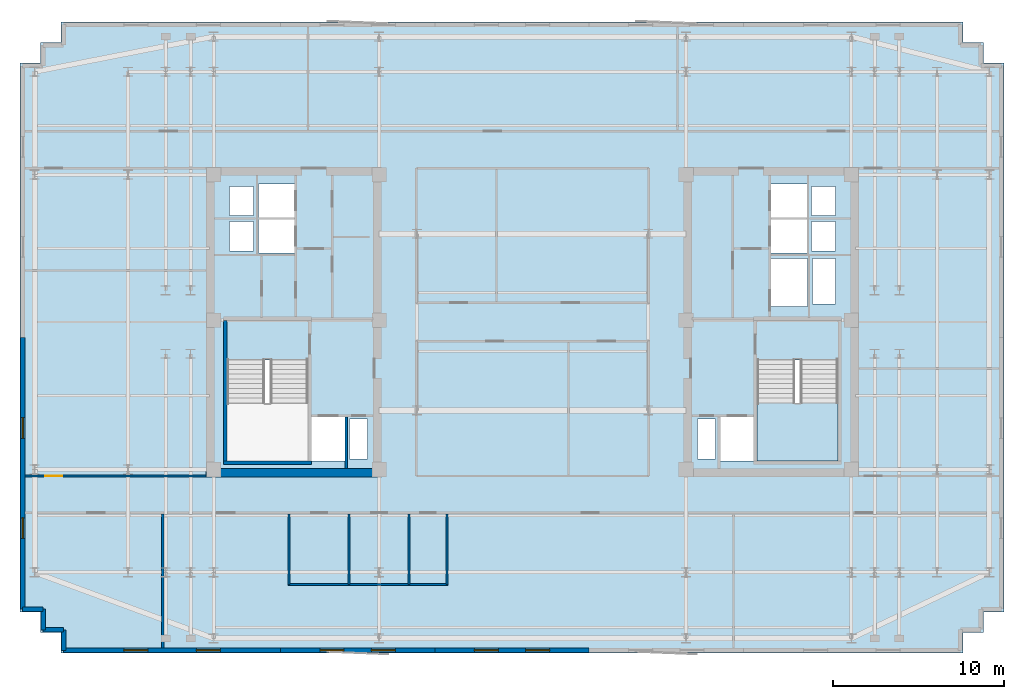
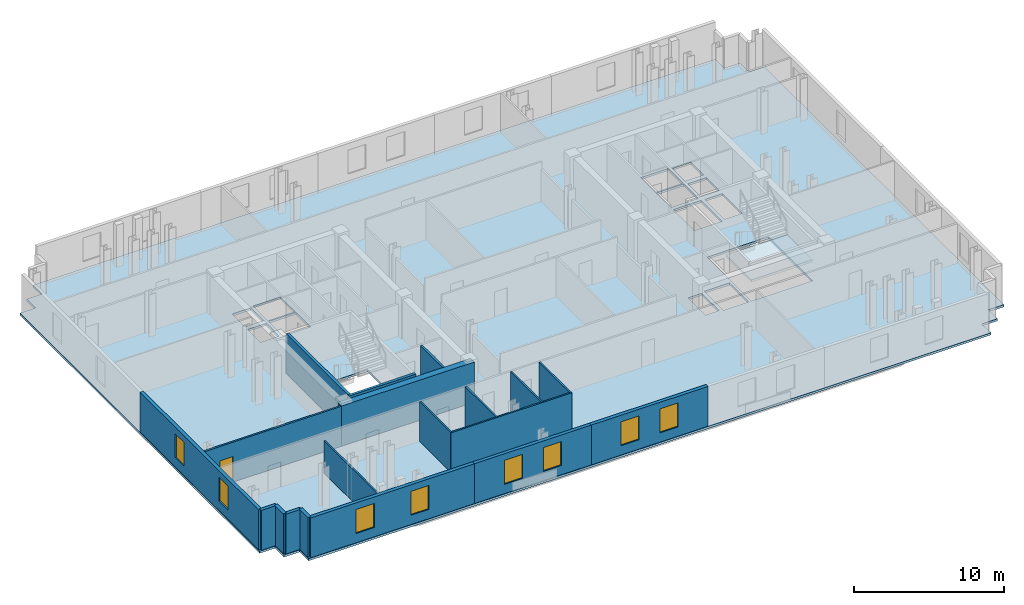
# One storey, part 3 of 9: 19 walls, 8 windows, 2 slabs, 1 door, 9 openings, 1 element without a shape of its own.
"""IFC4 building model written with IfcOpenShell, lengths in metres."""

from ifc_helpers import new_model, si_unit, direction, frame, frame_2d, origin, place, context, subcontext, project, spatial, polyline, rectangle, outline, extrude, material, layer, layer_set, type_object, element, fill, aggregate, save


model = new_model("IFC4")

# Units and contexts
model_context = context("Model", 3, precision=1e-05, world=origin(), true_north=direction((0.0, 1.0)))
body_context = subcontext(model_context, "Body", "Model", "MODEL_VIEW")
ifc_project = project(units=[si_unit("LENGTHUNIT", "METRE"), si_unit("AREAUNIT", "SQUARE_METRE"), si_unit("VOLUMEUNIT", "CUBIC_METRE"), si_unit("PLANEANGLEUNIT", "RADIAN"), si_unit("MASSUNIT", "GRAM", prefix="KILO")], contexts=[model_context])

# Site, building, storey
site_placement = place(None, origin())
site = spatial("IfcSite", under=ifc_project, at=site_placement, CompositionType="ELEMENT")
building_placement = place(site_placement, origin())
building = spatial("IfcBuilding", under=site, at=building_placement, Name="Velakula Bourse", CompositionType="ELEMENT")
storey_placement = place(building_placement, frame((0.0, 0.0, 215.39990234375)))
storey = spatial("IfcBuildingStorey", under=building, at=storey_placement, Name="L58", CompositionType="ELEMENT", Elevation=215.39990234375)

# Stair, slab
ifc_material_1 = material(Name="Concrete M45 (fck 45 MPa)", Category="concrete")
stair_type = type_object("IfcStairType", Name="STR-DOG-390", PredefinedType="HALF_TURN_STAIR", material=ifc_material_1)
stair_placement = place(storey_placement, origin())
stair = element("IfcStair", 1, at=stair_placement, inside=storey, type_object=stair_type, Name="L58 East Core Exit Stair ST-E1", PredefinedType="HALF_TURN_STAIR")
ifc_layer_1 = layer(ifc_material_1, 0.199951171875, Name="Concrete M45 (fck 45 MPa)", Category="concrete")
ifc_layer_set_1 = layer_set([ifc_layer_1], Name="Concrete M45 (fck 45 MPa)")
slab_type_1 = type_object("IfcSlabType", Name="SLB-STAIR-LND-200", PredefinedType="LANDING", material=ifc_layer_set_1)
slab_1_placement = place(storey_placement, frame((0.0, 0.0, 1.525146484375)))
slab_1 = element("IfcSlab", 2, at=slab_1_placement, type_object=slab_type_1, Name="ST-E1 landing 1", PredefinedType="LANDING", context=body_context, shape_type="SweptSolid", body=[
    extrude(outline(polyline([(13.10009765625, -4.719970703125), (13.10009765625, -8.10009765625), (17.820068359375, -8.10009765625), (17.820068359375, -4.719970703125), (13.10009765625, -4.719970703125)])), origin(), (0.0, 0.0, 1.0), 0.199951171875),
])
aggregate(stair, [slab_1])

# Slab
ifc_material_2 = material(Name="Concrete M50 (fck 50 MPa)", Category="concrete")
ifc_layer_2 = layer(ifc_material_2, 0.179931640625, Name="Concrete M50 (fck 50 MPa)", Category="concrete")
ifc_layer_set_2 = layer_set([ifc_layer_2], Name="Concrete M50 (fck 50 MPa)")
slab_type_2 = type_object("IfcSlabType", Name="SLB-TWR-180", PredefinedType="FLOOR", material=ifc_layer_set_2)
slab_2_placement = place(storey_placement, frame((0.0, 0.0, -0.179931640625)))
element("IfcSlab", 3, at=slab_2_placement, inside=storey, type_object=slab_type_2, Name="L58 Suspended Structural Floor Slab", PredefinedType="FLOOR", context=body_context, shape_type="SweptSolid", body=[
    extrude(outline(polyline([(-27.5, -19.300048828125), (25.10009765625, -19.300048828125), (25.10009765625, -18.10009765625), (26.300048828125, -18.10009765625), (26.300048828125, -16.89990234375), (27.5, -16.89990234375), (27.5, 15.10009765625), (26.300048828125, 15.10009765625), (26.300048828125, 16.300048828125), (25.10009765625, 16.300048828125), (25.10009765625, 17.5), (-27.5, 17.5), (-27.5, 16.300048828125), (-28.699951171875, 16.300048828125), (-28.699951171875, 15.10009765625), (-29.89990234375, 15.10009765625), (-29.89990234375, -16.89990234375), (-28.699951171875, -16.89990234375), (-28.699951171875, -18.10009765625), (-27.5, -18.10009765625), (-27.5, -19.300048828125)]), holes=[polyline([(-17.820068359375, -8.10009765625), (-13.10009765625, -8.10009765625), (-13.10009765625, -2.199951171875), (-17.820068359375, -2.199951171875), (-17.820068359375, -8.10009765625)]), polyline([(13.10009765625, -8.10009765625), (17.820068359375, -8.10009765625), (17.820068359375, -2.199951171875), (13.10009765625, -2.199951171875), (13.10009765625, -8.10009765625)]), polyline([(-12.89990234375, -8.10009765625), (-10.949951171875, -8.10009765625), (-10.949951171875, -5.550048828125), (-12.89990234375, -5.550048828125), (-12.89990234375, -8.10009765625)]), polyline([(10.949951171875, -8.10009765625), (12.89990234375, -8.10009765625), (12.89990234375, -5.550048828125), (10.949951171875, -5.550048828125), (10.949951171875, -8.10009765625)]), polyline([(13.89990234375, 0.919921875), (16.050048828125, 0.919921875), (16.050048828125, 3.719970703125), (13.89990234375, 3.719970703125), (13.89990234375, 0.919921875)]), polyline([(-10.679931640625, -7.97998046875), (-9.6201171875, -7.97998046875), (-9.6201171875, -5.669921875), (-10.679931640625, -5.669921875), (-10.679931640625, -7.97998046875)]), polyline([(-17.679931640625, 4.139892578125), (-16.27001953125, 4.139892578125), (-16.27001953125, 5.85009765625), (-17.679931640625, 5.85009765625), (-17.679931640625, 4.139892578125)]), polyline([(-17.679931640625, 6.2099609375), (-16.27001953125, 6.2099609375), (-16.27001953125, 7.919921875), (-17.679931640625, 7.919921875), (-17.679931640625, 6.2099609375)]), polyline([(9.6201171875, -7.97998046875), (10.679931640625, -7.97998046875), (10.679931640625, -5.669921875), (9.6201171875, -5.669921875), (9.6201171875, -7.97998046875)]), polyline([(16.27001953125, 4.139892578125), (17.679931640625, 4.139892578125), (17.679931640625, 5.85009765625), (16.27001953125, 5.85009765625), (16.27001953125, 4.139892578125)]), polyline([(16.27001953125, 6.2099609375), (17.679931640625, 6.2099609375), (17.679931640625, 7.919921875), (16.27001953125, 7.919921875), (16.27001953125, 6.2099609375)]), polyline([(16.320068359375, 1.0400390625), (17.679931640625, 1.0400390625), (17.679931640625, 3.699951171875), (16.320068359375, 3.699951171875), (16.320068359375, 1.0400390625)]), polyline([(-16.0, 4.02001953125), (-13.89990234375, 4.02001953125), (-13.89990234375, 5.969970703125), (-16.0, 5.969970703125), (-16.0, 4.02001953125)]), polyline([(-16.0, 6.090087890625), (-13.89990234375, 6.090087890625), (-13.89990234375, 8.0400390625), (-16.0, 8.0400390625), (-16.0, 6.090087890625)]), polyline([(13.89990234375, 4.02001953125), (16.0, 4.02001953125), (16.0, 5.969970703125), (13.89990234375, 5.969970703125), (13.89990234375, 4.02001953125)]), polyline([(13.89990234375, 6.090087890625), (16.0, 6.090087890625), (16.0, 8.0400390625), (13.89990234375, 8.0400390625), (13.89990234375, 6.090087890625)])]), origin(), (0.0, 0.0, 1.0), 0.179931640625),
])

# Walls
ifc_layer_3 = layer(ifc_material_2, 0.2099609375, Name="Concrete M50 (fck 50 MPa)", Category="concrete")
ifc_layer_set_3 = layer_set([ifc_layer_3], Name="Concrete M50 (fck 50 MPa)")
wall_type_1 = type_object("IfcWallType", Name="WL-CORE-210", PredefinedType="SHEAR", material=ifc_layer_set_3)
wall_1_placement = place(storey_placement, frame((-17.925048828125, -8.10009765625, 0.0), z_axis=(0.0, 0.0, 1.0), x_axis=(0.0, 1.0, 0.0)))
element("IfcWall", 4, at=wall_1_placement, inside=storey, type_object=wall_type_1, Name="L58 Core W Stairwell Shear Wall OUT", PredefinedType="SHEAR", context=body_context, shape_type="SweptSolid", body=[
    extrude(rectangle(XDim=8.2001953125, YDim=0.2099609375, at=frame_2d((4.10009765625, 0.0))), origin(), (0.0, 0.0, 1.0), 3.27001953125),
])
wall_2_placement = place(storey_placement, frame((-18.030029296875, -8.205078125, 0.0), z_axis=(0.0, 0.0, 1.0), x_axis=(1.0, 0.0, 0.0)))
element("IfcWall", 5, at=wall_2_placement, inside=storey, type_object=wall_type_1, Name="L58 Core W Stairwell Shear Wall S", PredefinedType="SHEAR", context=body_context, shape_type="SweptSolid", body=[
    extrude(rectangle(XDim=5.14013671875, YDim=0.2099609375, at=frame_2d((2.570068359375, 0.0))), origin(), (0.0, 0.0, 1.0), 3.27001953125),
])
ifc_layer_4 = layer(ifc_material_2, 0.5, Name="Concrete M50 (fck 50 MPa)", Category="concrete")
ifc_layer_set_4 = layer_set([ifc_layer_4], Name="Concrete M50 (fck 50 MPa)")
wall_type_2 = type_object("IfcWallType", Name="WL-CORE-500", PredefinedType="SHEAR", material=ifc_layer_set_4)
wall_3_placement = place(storey_placement, frame((-19.050048828125, -8.800048828125, 0.0), z_axis=(0.0, 0.0, 1.0), x_axis=(1.0, 0.0, 0.0)))
element("IfcWall", 6, at=wall_3_placement, inside=storey, type_object=wall_type_2, Name="L58 Core W Shear Wall S", PredefinedType="SHEAR", context=body_context, shape_type="SweptSolid", body=[
    extrude(rectangle(XDim=10.25, YDim=0.5, at=frame_2d((5.125, 0.0))), origin(), (0.0, 0.0, 1.0), 3.27001953125),
])

# Wall, openings, windows
ifc_material_3 = material(Name="Buff kilned clay facing brick masonry", Category="masonry")
ifc_layer_5 = layer(ifc_material_3, 0.260009765625, Name="Buff kilned clay facing brick masonry", Category="masonry")
ifc_layer_set_5 = layer_set([ifc_layer_5], Name="Buff kilned clay facing brick masonry")
wall_type_3 = type_object("IfcWallType", Name="WL-EXT-BRK-260", PredefinedType="STANDARD", material=ifc_layer_set_5)
wall_4_placement = place(storey_placement, frame((-14.699951171875, -19.14990234375, 0.0), z_axis=(0.0, 0.0, 1.0), x_axis=(-1.0, 0.0, 0.0)))
wall_4 = element("IfcWall", 7, at=wall_4_placement, inside=storey, type_object=wall_type_3, Name="L58 S Brick Spandrel Wall B1", PredefinedType="STANDARD", context=body_context, shape_type="SweptSolid", body=[
    extrude(rectangle(XDim=12.650146484375, YDim=0.260009765625, at=frame_2d((6.3251953125, 0.0))), origin(), (0.0, 0.0, 1.0), 3.25),
])
opening_1_placement = place(wall_4_placement, frame((3.5166015625, 0.0, 0.760009765625)))
opening_1 = element("IfcOpeningElement", 8, at=opening_1_placement, cuts=wall_4, Name="Opening W-03", PredefinedType="OPENING", context=body_context, shape_type="SweptSolid", body=[
    extrude(rectangle(XDim=1.39990234375, YDim=1.949951171875, at=frame_2d((0.699951171875, 0.97509765625))), frame((0.0, 0.139892578125, 0.0), z_axis=(0.0, -1.0, 0.0), x_axis=(1.0, 0.0, 0.0)), (0.0, 0.0, 1.0), 0.280029296875),
])
opening_2_placement = place(wall_4_placement, frame((7.7333984375, 0.0, 0.760009765625)))
opening_2 = element("IfcOpeningElement", 9, at=opening_2_placement, cuts=wall_4, Name="Opening W-03", PredefinedType="OPENING", context=body_context, shape_type="SweptSolid", body=[
    extrude(rectangle(XDim=1.39990234375, YDim=1.949951171875, at=frame_2d((0.699951171875, 0.97509765625))), frame((0.0, 0.139892578125, 0.0), z_axis=(0.0, -1.0, 0.0), x_axis=(1.0, 0.0, 0.0)), (0.0, 0.0, 1.0), 0.280029296875),
])
ifc_material_4 = material(Name="Double-glazed solar-control Low-E glass", Category="glass")
window_type_1 = type_object("IfcWindowType", Name="WIN-TWR-1400x2100", PartitioningType="SINGLE_PANEL", PredefinedType="WINDOW", material=ifc_material_4)
window_1_placement = place(opening_1_placement, origin())
window_1 = element("IfcWindow", 10, at=window_1_placement, inside=storey, type_object=window_type_1, Name="L58 Deep-Set Recessed Window 1", OverallHeight=1.949951171875, OverallWidth=1.39990234375, PartitioningType="SINGLE_PANEL", PredefinedType="WINDOW", context=body_context, shape_type="SweptSolid", body=[
    extrude(rectangle(XDim=1.39990234375, YDim=1.949951171875, at=frame_2d((0.699951171875, 0.97509765625))), frame((0.0, 0.030029296875, 0.0), z_axis=(0.0, -1.0, 0.0), x_axis=(1.0, 0.0, 0.0)), (0.0, 0.0, 1.0), 0.06005859375),
])
fill(opening_1, window_1)
window_2_placement = place(opening_2_placement, origin())
window_2 = element("IfcWindow", 11, at=window_2_placement, inside=storey, type_object=window_type_1, Name="L58 Deep-Set Recessed Window 2", OverallHeight=1.949951171875, OverallWidth=1.39990234375, PartitioningType="SINGLE_PANEL", PredefinedType="WINDOW", context=body_context, shape_type="SweptSolid", body=[
    extrude(rectangle(XDim=1.39990234375, YDim=1.949951171875, at=frame_2d((0.699951171875, 0.97509765625))), frame((0.0, 0.030029296875, 0.0), z_axis=(0.0, -1.0, 0.0), x_axis=(1.0, 0.0, 0.0)), (0.0, 0.0, 1.0), 0.06005859375),
])
fill(opening_2, window_2)

wall_5_placement = place(storey_placement, frame((-5.699951171875, -19.14990234375, 0.0), z_axis=(0.0, 0.0, 1.0), x_axis=(-1.0, 0.0, 0.0)))
wall_5 = element("IfcWall", 12, at=wall_5_placement, inside=storey, type_object=wall_type_3, Name="L58 S Brick Spandrel Wall B2", PredefinedType="STANDARD", context=body_context, shape_type="SweptSolid", body=[
    extrude(rectangle(XDim=9.0, YDim=0.260009765625, at=frame_2d((4.5, 0.0))), origin(), (0.0, 0.0, 1.0), 3.25),
])
opening_3_placement = place(wall_5_placement, frame((2.300048828125, 0.0, 0.760009765625)))
opening_3 = element("IfcOpeningElement", 13, at=opening_3_placement, cuts=wall_5, Name="Opening W-03", PredefinedType="OPENING", context=body_context, shape_type="SweptSolid", body=[
    extrude(rectangle(XDim=1.39990234375, YDim=1.949951171875, at=frame_2d((0.699951171875, 0.97509765625))), frame((0.0, 0.139892578125, 0.0), z_axis=(0.0, -1.0, 0.0), x_axis=(1.0, 0.0, 0.0)), (0.0, 0.0, 1.0), 0.280029296875),
])
opening_4_placement = place(wall_5_placement, frame((5.300048828125, 0.0, 0.760009765625)))
opening_4 = element("IfcOpeningElement", 14, at=opening_4_placement, cuts=wall_5, Name="Opening W-03", PredefinedType="OPENING", context=body_context, shape_type="SweptSolid", body=[
    extrude(rectangle(XDim=1.39990234375, YDim=1.949951171875, at=frame_2d((0.699951171875, 0.97509765625))), frame((0.0, 0.139892578125, 0.0), z_axis=(0.0, -1.0, 0.0), x_axis=(1.0, 0.0, 0.0)), (0.0, 0.0, 1.0), 0.280029296875),
])
window_3_placement = place(opening_3_placement, origin())
window_3 = element("IfcWindow", 15, at=window_3_placement, inside=storey, type_object=window_type_1, Name="L58 Deep-Set Recessed Window 1", OverallHeight=1.949951171875, OverallWidth=1.39990234375, PartitioningType="SINGLE_PANEL", PredefinedType="WINDOW", context=body_context, shape_type="SweptSolid", body=[
    extrude(rectangle(XDim=1.39990234375, YDim=1.949951171875, at=frame_2d((0.699951171875, 0.97509765625))), frame((0.0, 0.030029296875, 0.0), z_axis=(0.0, -1.0, 0.0), x_axis=(1.0, 0.0, 0.0)), (0.0, 0.0, 1.0), 0.06005859375),
])
fill(opening_3, window_3)
window_4_placement = place(opening_4_placement, origin())
window_4 = element("IfcWindow", 16, at=window_4_placement, inside=storey, type_object=window_type_1, Name="L58 Deep-Set Recessed Window 2", OverallHeight=1.949951171875, OverallWidth=1.39990234375, PartitioningType="SINGLE_PANEL", PredefinedType="WINDOW", context=body_context, shape_type="SweptSolid", body=[
    extrude(rectangle(XDim=1.39990234375, YDim=1.949951171875, at=frame_2d((0.699951171875, 0.97509765625))), frame((0.0, 0.030029296875, 0.0), z_axis=(0.0, -1.0, 0.0), x_axis=(1.0, 0.0, 0.0)), (0.0, 0.0, 1.0), 0.06005859375),
])
fill(opening_4, window_4)

wall_6_placement = place(storey_placement, frame((3.300048828125, -19.14990234375, 0.0), z_axis=(0.0, 0.0, 1.0), x_axis=(-1.0, 0.0, 0.0)))
wall_6 = element("IfcWall", 17, at=wall_6_placement, inside=storey, type_object=wall_type_3, Name="L58 S Brick Spandrel Wall B3", PredefinedType="STANDARD", context=body_context, shape_type="SweptSolid", body=[
    extrude(rectangle(XDim=9.0, YDim=0.260009765625, at=frame_2d((4.5, 0.0))), origin(), (0.0, 0.0, 1.0), 3.25),
])
opening_5_placement = place(wall_6_placement, frame((2.300048828125, 0.0, 0.760009765625)))
opening_5 = element("IfcOpeningElement", 18, at=opening_5_placement, cuts=wall_6, Name="Opening W-03", PredefinedType="OPENING", context=body_context, shape_type="SweptSolid", body=[
    extrude(rectangle(XDim=1.39990234375, YDim=1.949951171875, at=frame_2d((0.699951171875, 0.97509765625))), frame((0.0, 0.139892578125, 0.0), z_axis=(0.0, -1.0, 0.0), x_axis=(1.0, 0.0, 0.0)), (0.0, 0.0, 1.0), 0.280029296875),
])
opening_6_placement = place(wall_6_placement, frame((5.300048828125, 0.0, 0.760009765625)))
opening_6 = element("IfcOpeningElement", 19, at=opening_6_placement, cuts=wall_6, Name="Opening W-03", PredefinedType="OPENING", context=body_context, shape_type="SweptSolid", body=[
    extrude(rectangle(XDim=1.39990234375, YDim=1.949951171875, at=frame_2d((0.699951171875, 0.97509765625))), frame((0.0, 0.139892578125, 0.0), z_axis=(0.0, -1.0, 0.0), x_axis=(1.0, 0.0, 0.0)), (0.0, 0.0, 1.0), 0.280029296875),
])
window_5_placement = place(opening_5_placement, origin())
window_5 = element("IfcWindow", 20, at=window_5_placement, inside=storey, type_object=window_type_1, Name="L58 Deep-Set Recessed Window 1", OverallHeight=1.949951171875, OverallWidth=1.39990234375, PartitioningType="SINGLE_PANEL", PredefinedType="WINDOW", context=body_context, shape_type="SweptSolid", body=[
    extrude(rectangle(XDim=1.39990234375, YDim=1.949951171875, at=frame_2d((0.699951171875, 0.97509765625))), frame((0.0, 0.030029296875, 0.0), z_axis=(0.0, -1.0, 0.0), x_axis=(1.0, 0.0, 0.0)), (0.0, 0.0, 1.0), 0.06005859375),
])
fill(opening_5, window_5)
window_6_placement = place(opening_6_placement, origin())
window_6 = element("IfcWindow", 21, at=window_6_placement, inside=storey, type_object=window_type_1, Name="L58 Deep-Set Recessed Window 2", OverallHeight=1.949951171875, OverallWidth=1.39990234375, PartitioningType="SINGLE_PANEL", PredefinedType="WINDOW", context=body_context, shape_type="SweptSolid", body=[
    extrude(rectangle(XDim=1.39990234375, YDim=1.949951171875, at=frame_2d((0.699951171875, 0.97509765625))), frame((0.0, 0.030029296875, 0.0), z_axis=(0.0, -1.0, 0.0), x_axis=(1.0, 0.0, 0.0)), (0.0, 0.0, 1.0), 0.06005859375),
])
fill(opening_6, window_6)

wall_7_placement = place(storey_placement, frame((-29.75, -16.75, 0.0), z_axis=(0.0, 0.0, 1.0), x_axis=(0.0, 1.0, 0.0)))
wall_7 = element("IfcWall", 22, at=wall_7_placement, inside=storey, type_object=wall_type_3, Name="L58 W Brick End Wall W1", PredefinedType="STANDARD", context=body_context, shape_type="SweptSolid", body=[
    extrude(rectangle(XDim=15.85009765625, YDim=0.260009765625, at=frame_2d((7.925048828125, 0.0))), origin(), (0.0, 0.0, 1.0), 3.25),
])
opening_7_placement = place(wall_7_placement, frame((4.13330078125, 0.0, 0.760009765625)))
opening_7 = element("IfcOpeningElement", 23, at=opening_7_placement, cuts=wall_7, Name="Opening W-04", PredefinedType="OPENING", context=body_context, shape_type="SweptSolid", body=[
    extrude(rectangle(XDim=1.199951171875, YDim=1.949951171875, at=frame_2d((0.60009765625, 0.97509765625))), frame((0.0, 0.139892578125, 0.0), z_axis=(0.0, -1.0, 0.0), x_axis=(1.0, 0.0, 0.0)), (0.0, 0.0, 1.0), 0.280029296875),
])
opening_8_placement = place(wall_7_placement, frame((9.966796875, 0.0, 0.760009765625)))
opening_8 = element("IfcOpeningElement", 24, at=opening_8_placement, cuts=wall_7, Name="Opening W-04", PredefinedType="OPENING", context=body_context, shape_type="SweptSolid", body=[
    extrude(rectangle(XDim=1.199951171875, YDim=1.949951171875, at=frame_2d((0.60009765625, 0.97509765625))), frame((0.0, 0.139892578125, 0.0), z_axis=(0.0, -1.0, 0.0), x_axis=(1.0, 0.0, 0.0)), (0.0, 0.0, 1.0), 0.280029296875),
])
window_type_2 = type_object("IfcWindowType", Name="WIN-TWR-1200x2100", PartitioningType="SINGLE_PANEL", PredefinedType="WINDOW", material=ifc_material_4)
window_7_placement = place(opening_7_placement, origin())
window_7 = element("IfcWindow", 25, at=window_7_placement, inside=storey, type_object=window_type_2, Name="L58 Deep-Set Recessed Window 1", OverallHeight=1.949951171875, OverallWidth=1.199951171875, PartitioningType="SINGLE_PANEL", PredefinedType="WINDOW", context=body_context, shape_type="SweptSolid", body=[
    extrude(rectangle(XDim=1.199951171875, YDim=1.949951171875, at=frame_2d((0.60009765625, 0.97509765625))), frame((0.0, 0.030029296875, 0.0), z_axis=(0.0, -1.0, 0.0), x_axis=(1.0, 0.0, 0.0)), (0.0, 0.0, 1.0), 0.06005859375),
])
fill(opening_7, window_7)
window_8_placement = place(opening_8_placement, origin())
window_8 = element("IfcWindow", 26, at=window_8_placement, inside=storey, type_object=window_type_2, Name="L58 Deep-Set Recessed Window 2", OverallHeight=1.949951171875, OverallWidth=1.199951171875, PartitioningType="SINGLE_PANEL", PredefinedType="WINDOW", context=body_context, shape_type="SweptSolid", body=[
    extrude(rectangle(XDim=1.199951171875, YDim=1.949951171875, at=frame_2d((0.60009765625, 0.97509765625))), frame((0.0, 0.030029296875, 0.0), z_axis=(0.0, -1.0, 0.0), x_axis=(1.0, 0.0, 0.0)), (0.0, 0.0, 1.0), 0.06005859375),
])
fill(opening_8, window_8)

# Walls
for number, where, z_axis, x_axis, name in (
    (27, (-29.75, -16.75, 0.0), (0.0, 0.0, 1.0), (1.0, 0.0, 0.0), "L58 Serrated Corner Brick Wall SW-1"),
    (28, (-28.550048828125, -16.75, 0.0), (0.0, 0.0, 1.0), (0.0, -1.0, 0.0), "L58 Serrated Corner Brick Wall SW-2"),
    (29, (-28.550048828125, -17.949951171875, 0.0), (0.0, 0.0, 1.0), (1.0, 0.0, 0.0), "L58 Serrated Corner Brick Wall SW-3"),
    (30, (-27.35009765625, -17.949951171875, 0.0), (0.0, 0.0, 1.0), (0.0, -1.0, 0.0), "L58 Serrated Corner Brick Wall SW-4"),
):
    element("IfcWall", number, at=place(storey_placement, frame(where, z_axis=z_axis, x_axis=x_axis)), inside=storey, type_object=wall_type_3, Name=name, PredefinedType="STANDARD", context=body_context, shape_type="SweptSolid", body=[
        extrude(rectangle(XDim=1.199951171875, YDim=0.260009765625, at=frame_2d((0.60009765625, 0.0))), origin(), (0.0, 0.0, 1.0), 3.25),
    ])
ifc_material_5 = material(Name="Fire-rated double-layer gypsum drywall partition", Category="gypsum")
ifc_layer_6 = layer(ifc_material_5, 0.1201171875, Name="Fire-rated double-layer gypsum drywall partition", Category="gypsum")
ifc_layer_set_6 = layer_set([ifc_layer_6], Name="Fire-rated double-layer gypsum drywall partition")
wall_type_4 = type_object("IfcWallType", Name="WL-PART-120", PredefinedType="STANDARD", material=ifc_layer_set_6)
wall_8_placement = place(storey_placement, frame((-14.260009765625, -15.320068359375, 0.0), z_axis=(0.0, 0.0, 1.0), x_axis=(1.0, 0.0, 0.0)))
element("IfcWall", 31, at=wall_8_placement, inside=storey, type_object=wall_type_4, Name="L58 Interior Partition WL-WC-L58-BACK", PredefinedType="STANDARD", context=body_context, shape_type="SweptSolid", body=[
    extrude(rectangle(XDim=9.320068359375, YDim=0.1201171875, at=frame_2d((4.66015625, 0.0))), origin(), (0.0, 0.0, 1.0), 3.25),
])
for number, where, z_axis, x_axis, name in (
    (32, (-14.199951171875, -15.320068359375, 0.0), (0.0, 0.0, 1.0), (0.0, 1.0, 0.0), "L58 Interior Partition WL-WC-L58-V1"),
    (33, (-10.699951171875, -15.320068359375, 0.0), (0.0, 0.0, 1.0), (0.0, 1.0, 0.0), "L58 Interior Partition WL-WC-L58-V2"),
    (34, (-7.199951171875, -15.320068359375, 0.0), (0.0, 0.0, 1.0), (0.0, 1.0, 0.0), "L58 Interior Partition WL-WC-L58-V3"),
    (35, (-5.0, -15.320068359375, 0.0), (0.0, 0.0, 1.0), (0.0, 1.0, 0.0), "L58 Interior Partition WL-WC-L58-V4"),
):
    element("IfcWall", number, at=place(storey_placement, frame(where, z_axis=z_axis, x_axis=x_axis)), inside=storey, type_object=wall_type_4, Name=name, PredefinedType="STANDARD", context=body_context, shape_type="SweptSolid", body=[
        extrude(rectangle(XDim=4.130126953125, YDim=0.1201171875, at=frame_2d((2.06494140625, 0.0))), origin(), (0.0, 0.0, 1.0), 3.25),
    ])
wall_9_placement = place(storey_placement, frame((-21.572998046875, -19.02001953125, 0.0), z_axis=(0.0, 0.0, 1.0), x_axis=(0.0, 1.0, 0.0)))
element("IfcWall", 36, at=wall_9_placement, inside=storey, type_object=wall_type_4, Name="L58 Interior Partition WL-INT-L58-SL-D5", PredefinedType="STANDARD", context=body_context, shape_type="SweptSolid", body=[
    extrude(rectangle(XDim=7.830078125, YDim=0.1201171875, at=frame_2d((3.9150390625, 0.0))), origin(), (0.0, 0.0, 1.0), 2.64501953125),
])

# Wall, opening, door
ifc_layer_7 = layer(ifc_material_5, 0.139892578125, Name="Fire-rated double-layer gypsum drywall partition", Category="gypsum")
ifc_layer_set_7 = layer_set([ifc_layer_7], Name="Fire-rated double-layer gypsum drywall partition")
wall_type_5 = type_object("IfcWallType", Name="WL-PART-140", PredefinedType="STANDARD", material=ifc_layer_set_7)
wall_10_placement = place(storey_placement, frame((-29.6201171875, -8.97998046875, 0.0), z_axis=(0.0, 0.0, 1.0), x_axis=(1.0, 0.0, 0.0)))
wall_10 = element("IfcWall", 37, at=wall_10_placement, inside=storey, type_object=wall_type_5, Name="L58 Interior Partition WL-INT-L58-W-SC", PredefinedType="STANDARD", context=body_context, shape_type="SweptSolid", body=[
    extrude(rectangle(XDim=10.570068359375, YDim=0.139892578125, at=frame_2d((5.28515625, 0.0))), origin(), (0.0, 0.0, 1.0), 3.25),
])
opening_9_placement = place(wall_10_placement, frame((1.191162109375, 0.0, 0.0)))
opening_9 = element("IfcOpeningElement", 38, at=opening_9_placement, cuts=wall_10, Name="Opening D-OF1", PredefinedType="OPENING", context=body_context, shape_type="SweptSolid", body=[
    extrude(rectangle(XDim=1.0, YDim=2.080078125, at=frame_2d((0.5, 1.0400390625))), frame((0.0, 0.079833984375, 0.0), z_axis=(0.0, -1.0, 0.0), x_axis=(1.0, 0.0, 0.0)), (0.0, 0.0, 1.0), 0.159912109375),
])
ifc_material_6 = material(Name="Fire-rated hardwood flush architectural door", Category="wood")
door_type = type_object("IfcDoorType", Name="DR-OFF-1000", OperationType="NOTDEFINED", PredefinedType="DOOR", material=ifc_material_6)
door_placement = place(opening_9_placement, origin())
door = element("IfcDoor", 39, at=door_placement, inside=storey, type_object=door_type, Name="L58 ESG Rating Analytics Workspace Door", OperationType="SINGLE_SWING_RIGHT", OverallHeight=2.080078125, OverallWidth=1.0, PredefinedType="DOOR", context=body_context, shape_type="SweptSolid", body=[
    extrude(rectangle(XDim=1.0, YDim=2.080078125, at=frame_2d((0.5, 1.0400390625))), frame((0.0, 0.02490234375, 0.0), z_axis=(0.0, -1.0, 0.0), x_axis=(1.0, 0.0, 0.0)), (0.0, 0.0, 1.0), 0.050048828125),
])
fill(opening_9, door)

# Wall
ifc_material_7 = material(Name="Autoclaved aerated concrete blockwork masonry", Category="masonry")
ifc_layer_8 = layer(ifc_material_7, 0.14990234375, Name="Autoclaved aerated concrete blockwork masonry", Category="masonry")
ifc_layer_set_8 = layer_set([ifc_layer_8], Name="Autoclaved aerated concrete blockwork masonry")
wall_type_6 = type_object("IfcWallType", Name="WL-SHAFT-150", PredefinedType="STANDARD", material=ifc_layer_set_8)
wall_11_placement = place(storey_placement, frame((-10.875, -8.550048828125, 0.0), z_axis=(0.0, 0.0, 1.0), x_axis=(0.0, 1.0, 0.0)))
element("IfcWall", 40, at=wall_11_placement, inside=storey, type_object=wall_type_6, Name="L58 Interior Partition WL-CRW-L58-FR-DIV", PredefinedType="STANDARD", context=body_context, shape_type="SweptSolid", body=[
    extrude(rectangle(XDim=3.0, YDim=0.14990234375, at=frame_2d((1.5, 0.0))), origin(), (0.0, 0.0, 1.0), 3.25),
])

save(model, "model.ifc")
